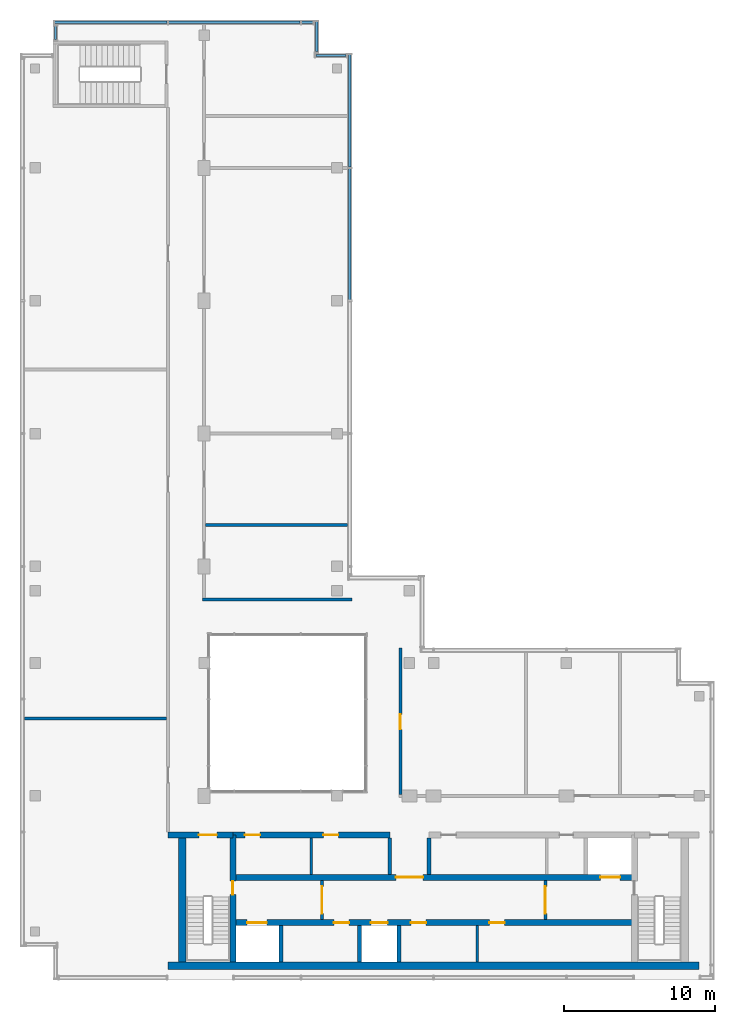
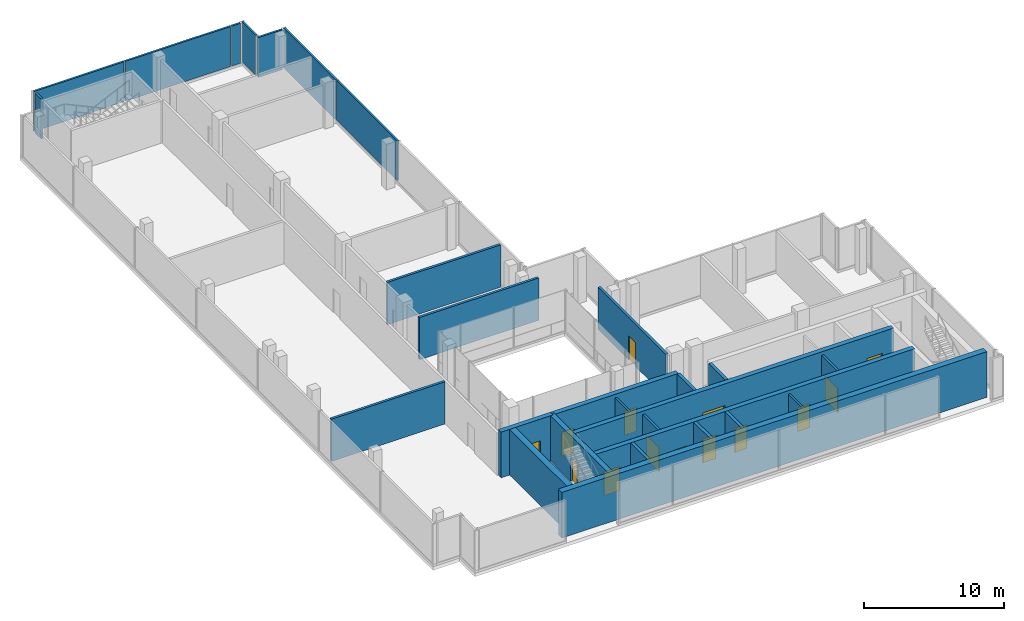
# One storey, part 8 of 11: 20 walls, 14 doors, 8 plates, 14 openings, 5 elements without a shape of their own.
"""IFC4 building model written with IfcOpenShell, lengths in metres."""

from ifc_helpers import new_model, si_unit, direction, frame, frame_2d, origin, origin_2d, place, context, subcontext, project, spatial, rectangle, extrude, source, transform, mapped, material, layer, layer_set, type_object, element, fill, aggregate, save


model = new_model("IFC4")

# Units and contexts
model_context = context("Model", 3, precision=1e-05, world=origin(), true_north=direction((0.0, 1.0)))
body_context = subcontext(model_context, "Body", "Model", "MODEL_VIEW")
ifc_project = project(units=[si_unit("LENGTHUNIT", "METRE"), si_unit("AREAUNIT", "SQUARE_METRE"), si_unit("VOLUMEUNIT", "CUBIC_METRE"), si_unit("PLANEANGLEUNIT", "RADIAN"), si_unit("MASSUNIT", "GRAM", prefix="KILO")], contexts=[model_context])

# Site, building, storey
site_placement = place(None, origin())
site = spatial("IfcSite", under=ifc_project, at=site_placement, CompositionType="ELEMENT")
building_placement = place(site_placement, origin())
building = spatial("IfcBuilding", under=site, at=building_placement, Name="Kemantara Hotel Tower", CompositionType="ELEMENT")
storey_placement = place(building_placement, frame((0.0, 0.0, 322.199951171875)))
storey = spatial("IfcBuildingStorey", under=building, at=storey_placement, Name="L81", CompositionType="ELEMENT", Elevation=322.199951171875)

# Curtain wall, plates
ifc_material_1 = material(Name="Aluminium 6063-T6 bronze anodised", Category="aluminium")
curtain_wall_type = type_object("IfcCurtainWallType", Name="CROWN LOUVRE SCREEN WALL", PredefinedType="USERDEFINED", material=ifc_material_1)
curtain_wall_1_placement = place(storey_placement, origin())
curtain_wall_1 = element("IfcCurtainWall", 1, at=curtain_wall_1_placement, inside=storey, type_object=curtain_wall_type, Name="CW7 L81 CRN-R02-1", ObjectType="CROWN LOUVRE SCREEN WALL", PredefinedType="USERDEFINED")
ifc_material_2 = material(Name="Bronze anodised aluminium louvre blades 3 mm", Category="aluminium")
ifc_layer_1 = layer(ifc_material_2, 0.159912109375)
ifc_layer_set_1 = layer_set([ifc_layer_1], Name="Bronze anodised aluminium louvre blades 3 mm")
plate_type = type_object("IfcPlateType", Name="CROWN LOUVRE SCREEN WALL PANEL", PredefinedType="CURTAIN_PANEL", material=ifc_layer_set_1)
shared_shape_1 = source(origin(), body_context, "Body", "SweptSolid", [
    extrude(rectangle(XDim=0.75, YDim=0.159912109375, at=origin_2d()), origin(), (0.0, 0.0, 1.0), 3.5),
])
plate_1_placement = place(storey_placement, frame((19.02490234375, 63.449951171875, 0.199951171875), z_axis=(0.0, 0.0, 1.0), x_axis=(-1.0, 0.0, 0.0)))
plate_1 = element("IfcPlate", 2, at=plate_1_placement, type_object=plate_type, Name="CW7 louvre panel CRN-R02-1.1", PredefinedType="CURTAIN_PANEL", context=body_context, shape_type="MappedRepresentation", body=[
    mapped(shared_shape_1, transform((0.0, 0.0, 0.0))),
])
shared_shape_2 = source(origin(), body_context, "Body", "SweptSolid", [
    extrude(rectangle(XDim=8.699951171875, YDim=0.159912109375, at=origin_2d()), origin(), (0.0, 0.0, 1.0), 3.5),
])
plate_2_placement = place(storey_placement, frame((14.199951171875, 63.449951171875, 0.199951171875), z_axis=(0.0, 0.0, 1.0), x_axis=(-1.0, 0.0, 0.0)))
plate_2 = element("IfcPlate", 3, at=plate_2_placement, type_object=plate_type, Name="CW7 louvre panel CRN-R02-1.2", PredefinedType="CURTAIN_PANEL", context=body_context, shape_type="MappedRepresentation", body=[
    mapped(shared_shape_2, transform((0.0, 0.0, 0.0))),
])

# Curtain wall, plate
curtain_wall_2_placement = place(storey_placement, origin())
curtain_wall_2 = element("IfcCurtainWall", 4, at=curtain_wall_2_placement, inside=storey, type_object=curtain_wall_type, Name="CW7 L81 CRN-R15-1", ObjectType="CROWN LOUVRE SCREEN WALL", PredefinedType="USERDEFINED")
plate_3_placement = place(storey_placement, frame((21.85009765625, 49.39990234375, 0.199951171875), z_axis=(0.0, 0.0, 1.0), x_axis=(0.0, 1.0, 0.0)))
plate_3 = element("IfcPlate", 5, at=plate_3_placement, type_object=plate_type, Name="CW7 louvre panel CRN-R15-1.4", PredefinedType="CURTAIN_PANEL", context=body_context, shape_type="MappedRepresentation", body=[
    mapped(shared_shape_2, transform((0.0, 0.0, 0.0))),
])

# Plate
shared_shape_3 = source(origin(), body_context, "Body", "SweptSolid", [
    extrude(rectangle(XDim=7.449951171875, YDim=0.159912109375, at=origin_2d()), origin(), (0.0, 0.0, 1.0), 3.5),
])
plate_4_placement = place(storey_placement, frame((6.02490234375, 63.449951171875, 0.199951171875), z_axis=(0.0, 0.0, 1.0), x_axis=(-1.0, 0.0, 0.0)))
plate_4 = element("IfcPlate", 6, at=plate_4_placement, type_object=plate_type, Name="CW7 louvre panel CRN-R02-1.3", PredefinedType="CURTAIN_PANEL", context=body_context, shape_type="MappedRepresentation", body=[
    mapped(shared_shape_3, transform((0.0, 0.0, 0.0))),
])

aggregate(curtain_wall_1, [plate_1, plate_2, plate_4])

plate_5_placement = place(storey_placement, frame((21.85009765625, 57.574951171875, 0.199951171875), z_axis=(0.0, 0.0, 1.0), x_axis=(0.0, 1.0, 0.0)))
plate_5 = element("IfcPlate", 7, at=plate_5_placement, type_object=plate_type, Name="CW7 louvre panel CRN-R15-1.5", PredefinedType="CURTAIN_PANEL", context=body_context, shape_type="MappedRepresentation", body=[
    mapped(shared_shape_3, transform((0.0, 0.0, 0.0))),
])

aggregate(curtain_wall_2, [plate_3, plate_5])

# Curtain wall, plate
curtain_wall_3_placement = place(storey_placement, origin())
curtain_wall_3 = element("IfcCurtainWall", 8, at=curtain_wall_3_placement, inside=storey, type_object=curtain_wall_type, Name="CW7 L81 CRN-R00-1", ObjectType="CROWN LOUVRE SCREEN WALL", PredefinedType="USERDEFINED")
shared_shape_4 = source(origin(), body_context, "Body", "SweptSolid", [
    extrude(rectangle(XDim=2.0, YDim=0.159912109375, at=origin_2d()), origin(), (0.0, 0.0, 1.0), 3.5),
])
plate_6_placement = place(storey_placement, frame((20.60009765625, 61.25, 0.199951171875), z_axis=(0.0, 0.0, 1.0), x_axis=(-1.0, 0.0, 0.0)))
plate_6 = element("IfcPlate", 9, at=plate_6_placement, type_object=plate_type, Name="CW7 louvre panel CRN-R00-1.1", PredefinedType="CURTAIN_PANEL", context=body_context, shape_type="MappedRepresentation", body=[
    mapped(shared_shape_4, transform((0.0, 0.0, 0.0))),
])
aggregate(curtain_wall_3, [plate_6])

curtain_wall_4_placement = place(storey_placement, origin())
curtain_wall_4 = element("IfcCurtainWall", 10, at=curtain_wall_4_placement, inside=storey, type_object=curtain_wall_type, Name="CW7 L81 CRN-R01-1", ObjectType="CROWN LOUVRE SCREEN WALL", PredefinedType="USERDEFINED")
plate_7_placement = place(storey_placement, frame((19.64990234375, 62.5, 0.199951171875), z_axis=(0.0, 0.0, 1.0), x_axis=(0.0, 1.0, 0.0)))
plate_7 = element("IfcPlate", 11, at=plate_7_placement, type_object=plate_type, Name="CW7 louvre panel CRN-R01-1.1", PredefinedType="CURTAIN_PANEL", context=body_context, shape_type="MappedRepresentation", body=[
    mapped(shared_shape_4, transform((0.0, 0.0, 0.0))),
])
aggregate(curtain_wall_4, [plate_7])

curtain_wall_5_placement = place(storey_placement, origin())
curtain_wall_5 = element("IfcCurtainWall", 12, at=curtain_wall_5_placement, inside=storey, type_object=curtain_wall_type, Name="CW7 L81 CRN-R03-1", ObjectType="CROWN LOUVRE SCREEN WALL", PredefinedType="USERDEFINED")
shared_shape_5 = source(origin(), body_context, "Body", "SweptSolid", [
    extrude(rectangle(XDim=0.89990234375, YDim=0.159912109375, at=origin_2d()), origin(), (0.0, 0.0, 1.0), 3.5),
])
plate_8_placement = place(storey_placement, frame((2.35009765625, 62.75, 0.199951171875), z_axis=(0.0, 0.0, 1.0), x_axis=(0.0, -1.0, 0.0)))
plate_8 = element("IfcPlate", 13, at=plate_8_placement, type_object=plate_type, Name="CW7 louvre panel CRN-R03-1.1", PredefinedType="CURTAIN_PANEL", context=body_context, shape_type="MappedRepresentation", body=[
    mapped(shared_shape_5, transform((0.0, 0.0, 0.0))),
])
aggregate(curtain_wall_5, [plate_8])

# Walls
ifc_material_3 = material(Name="Concrete fc 50 MPa", Category="concrete")
ifc_layer_2 = layer(ifc_material_3, 0.25)
ifc_layer_set_2 = layer_set([ifc_layer_2], Name="Concrete fc 50 MPa")
wall_type_1 = type_object("IfcWallType", Name="CORE WALL 250 FC50", PredefinedType="SHEAR", material=ifc_layer_set_2)
for number, where, z_axis, x_axis, name in (
    (14, (17.300048828125, 1.199951171875, 0.0), (0.0, 0.0, 1.0), (0.0, 1.0, 0.0), "CORE WALL CW-DS17.3"),
    (15, (22.5, 1.199951171875, 0.0), (0.0, 0.0, 1.0), (0.0, 1.0, 0.0), "CORE WALL CW-DS22.5"),
    (16, (25.10009765625, 1.199951171875, 0.0), (0.0, 0.0, 1.0), (0.0, 1.0, 0.0), "CORE WALL CW-DS25.1"),
):
    element("IfcWall", number, at=place(storey_placement, frame(where, z_axis=z_axis, x_axis=x_axis)), inside=storey, type_object=wall_type_1, Name=name, PredefinedType="SHEAR", context=body_context, shape_type="SweptSolid", body=[
        extrude(rectangle(XDim=2.400146484375, YDim=0.25, at=frame_2d((1.2001953125, 0.0))), origin(), (0.0, 0.0, 1.0), 4.0),
    ])
for number, where, z_axis, x_axis, name in (
    (17, (24.5, 7.0, 0.0), (0.0, 0.0, 1.0), (0.0, 1.0, 0.0), "CORE WALL CW-DN24.5"),
    (18, (27.10009765625, 7.0, 0.0), (0.0, 0.0, 1.0), (0.0, 1.0, 0.0), "CORE WALL CW-DN27.1"),
):
    element("IfcWall", number, at=place(storey_placement, frame(where, z_axis=z_axis, x_axis=x_axis)), inside=storey, type_object=wall_type_1, Name=name, PredefinedType="SHEAR", context=body_context, shape_type="SweptSolid", body=[
        extrude(rectangle(XDim=2.39990234375, YDim=0.25, at=frame_2d((1.199951171875, 0.0))), origin(), (0.0, 0.0, 1.0), 4.0),
    ])

# Wall, opening, door
ifc_layer_3 = layer(ifc_material_3, 0.39990234375)
ifc_layer_set_3 = layer_set([ifc_layer_3], Name="Concrete fc 50 MPa")
wall_type_2 = type_object("IfcWallType", Name="CORE WALL 400 FC50", PredefinedType="SHEAR", material=ifc_layer_set_3)
wall_1_placement = place(storey_placement, frame((9.800048828125, 9.60009765625, 0.0), z_axis=(0.0, 0.0, 1.0), x_axis=(1.0, 0.0, 0.0)))
wall_1 = element("IfcWall", 19, at=wall_1_placement, inside=storey, type_object=wall_type_2, Name="CORE WALL CW-N1", PredefinedType="SHEAR", context=body_context, shape_type="SweptSolid", body=[
    extrude(rectangle(XDim=4.300048828125, YDim=0.39990234375, at=frame_2d((2.14990234375, 0.0))), origin(), (0.0, 0.0, 1.0), 4.0),
])
opening_1_placement = place(wall_1_placement, frame((2.050048828125, 0.0, 0.0)))
opening_1 = element("IfcOpeningElement", 20, at=opening_1_placement, cuts=wall_1, Name="Opening C45-ST1-C", PredefinedType="OPENING", context=body_context, shape_type="SweptSolid", body=[
    extrude(rectangle(XDim=1.199951171875, YDim=2.10009765625, at=frame_2d((0.60009765625, 1.050048828125))), frame((0.0, 0.2099609375, 0.0), z_axis=(0.0, -1.0, 0.0), x_axis=(1.0, 0.0, 0.0)), (0.0, 0.0, 1.0), 0.419921875),
])
ifc_material_4 = material(Name="Steel fire door", Category="steel")
door_type_1 = type_object("IfcDoorType", Name="Fire door FD90 1200 x 2100", OperationType="NOTDEFINED", PredefinedType="DOOR", material=ifc_material_4)
door_1_placement = place(opening_1_placement, frame((1.199951171875, 0.0, 0.0), z_axis=(0.0, 0.0, 1.0), x_axis=(-1.0, 0.0, 0.0)))
door_1 = element("IfcDoor", 21, at=door_1_placement, inside=storey, type_object=door_type_1, Name="Stair ST1 door to corridor", OperationType="SINGLE_SWING_LEFT", OverallHeight=2.10009765625, OverallWidth=1.199951171875, PredefinedType="DOOR", context=body_context, shape_type="SweptSolid", body=[
    extrude(rectangle(XDim=1.199951171875, YDim=2.10009765625, at=frame_2d((0.60009765625, 1.050048828125))), frame((0.0, 0.02490234375, 0.0), z_axis=(0.0, -1.0, 0.0), x_axis=(1.0, 0.0, 0.0)), (0.0, 0.0, 1.0), 0.050048828125),
])
fill(opening_1, door_1)

# Wall, openings, doors
wall_2_placement = place(storey_placement, frame((14.10009765625, 9.60009765625, 0.0), z_axis=(0.0, 0.0, 1.0), x_axis=(1.0, 0.0, 0.0)))
wall_2 = element("IfcWall", 22, at=wall_2_placement, inside=storey, type_object=wall_type_2, Name="CORE WALL CW-NN1", PredefinedType="SHEAR", context=body_context, shape_type="SweptSolid", body=[
    extrude(rectangle(XDim=10.39990234375, YDim=0.39990234375, at=frame_2d((5.199951171875, 0.0))), origin(), (0.0, 0.0, 1.0), 4.0),
])
opening_2_placement = place(wall_2_placement, frame((0.800048828125, 0.0, 0.0)))
opening_2 = element("IfcOpeningElement", 23, at=opening_2_placement, cuts=wall_2, Name="Opening C45-R-NW1", PredefinedType="OPENING", context=body_context, shape_type="SweptSolid", body=[
    extrude(rectangle(XDim=1.0, YDim=2.10009765625, at=frame_2d((0.5, 1.050048828125))), frame((0.0, 0.2099609375, 0.0), z_axis=(0.0, -1.0, 0.0), x_axis=(1.0, 0.0, 0.0)), (0.0, 0.0, 1.0), 0.419921875),
])
opening_3_placement = place(wall_2_placement, frame((6.0, 0.0, 0.0)))
opening_3 = element("IfcOpeningElement", 24, at=opening_3_placement, cuts=wall_2, Name="Opening C45-R-NW2", PredefinedType="OPENING", context=body_context, shape_type="SweptSolid", body=[
    extrude(rectangle(XDim=1.0, YDim=2.10009765625, at=frame_2d((0.5, 1.050048828125))), frame((0.0, 0.2099609375, 0.0), z_axis=(0.0, -1.0, 0.0), x_axis=(1.0, 0.0, 0.0)), (0.0, 0.0, 1.0), 0.419921875),
])
door_type_2 = type_object("IfcDoorType", Name="Fire door FD60 1000 x 2100", OperationType="NOTDEFINED", PredefinedType="DOOR", material=ifc_material_4)
door_2_placement = place(opening_2_placement, frame((1.0, 0.0, 0.0), z_axis=(0.0, 0.0, 1.0), x_axis=(-1.0, 0.0, 0.0)))
door_2 = element("IfcDoor", 25, at=door_2_placement, inside=storey, type_object=door_type_2, Name="Air Handling Plant Room door", OperationType="SINGLE_SWING_RIGHT", OverallHeight=2.10009765625, OverallWidth=1.0, PredefinedType="DOOR", context=body_context, shape_type="SweptSolid", body=[
    extrude(rectangle(XDim=1.0, YDim=2.10009765625, at=frame_2d((0.5, 1.050048828125))), frame((0.0, 0.02490234375, 0.0), z_axis=(0.0, -1.0, 0.0), x_axis=(1.0, 0.0, 0.0)), (0.0, 0.0, 1.0), 0.050048828125),
])
fill(opening_2, door_2)
door_3_placement = place(opening_3_placement, frame((1.0, 0.0, 0.0), z_axis=(0.0, 0.0, 1.0), x_axis=(-1.0, 0.0, 0.0)))
door_3 = element("IfcDoor", 26, at=door_3_placement, inside=storey, type_object=door_type_2, Name="Chilled Water Plant Room door", OperationType="SINGLE_SWING_LEFT", OverallHeight=2.10009765625, OverallWidth=1.0, PredefinedType="DOOR", context=body_context, shape_type="SweptSolid", body=[
    extrude(rectangle(XDim=1.0, YDim=2.10009765625, at=frame_2d((0.5, 1.050048828125))), frame((0.0, 0.02490234375, 0.0), z_axis=(0.0, -1.0, 0.0), x_axis=(1.0, 0.0, 0.0)), (0.0, 0.0, 1.0), 0.050048828125),
])
fill(opening_3, door_3)

wall_3_placement = place(storey_placement, frame((14.10009765625, 3.800048828125, 0.0), z_axis=(0.0, 0.0, 1.0), x_axis=(1.0, 0.0, 0.0)))
wall_3 = element("IfcWall", 27, at=wall_3_placement, inside=storey, type_object=wall_type_2, Name="CORE WALL CW-L1", PredefinedType="SHEAR", context=body_context, shape_type="SweptSolid", body=[
    extrude(rectangle(XDim=26.599853515625, YDim=0.39990234375, at=frame_2d((13.2998046875, 0.0))), origin(), (0.0, 0.0, 1.0), 4.0),
])
opening_4_placement = place(wall_3_placement, frame((0.949951171875, 0.0, 0.0)))
opening_4 = element("IfcOpeningElement", 28, at=opening_4_placement, cuts=wall_3, Name="Opening C45-LD-FF1", PredefinedType="OPENING", context=body_context, shape_type="SweptSolid", body=[
    extrude(rectangle(XDim=1.300048828125, YDim=2.10009765625, at=frame_2d((0.64990234375, 1.050048828125))), frame((0.0, 0.2099609375, 0.0), z_axis=(0.0, -1.0, 0.0), x_axis=(1.0, 0.0, 0.0)), (0.0, 0.0, 1.0), 0.419921875),
])
opening_5_placement = place(wall_3_placement, frame((9.14990234375, 0.0, 0.0)))
opening_5 = element("IfcOpeningElement", 29, at=opening_5_placement, cuts=wall_3, Name="Opening C45-LD-SV3", PredefinedType="OPENING", context=body_context, shape_type="SweptSolid", body=[
    extrude(rectangle(XDim=1.10009765625, YDim=2.10009765625, at=frame_2d((0.550048828125, 1.050048828125))), frame((0.0, 0.2099609375, 0.0), z_axis=(0.0, -1.0, 0.0), x_axis=(1.0, 0.0, 0.0)), (0.0, 0.0, 1.0), 0.419921875),
])
opening_6_placement = place(wall_3_placement, frame((11.800048828125, 0.0, 0.0)))
opening_6 = element("IfcOpeningElement", 30, at=opening_6_placement, cuts=wall_3, Name="Opening C45-R-SM1", PredefinedType="OPENING", context=body_context, shape_type="SweptSolid", body=[
    extrude(rectangle(XDim=1.0, YDim=2.10009765625, at=frame_2d((0.5, 1.050048828125))), frame((0.0, 0.2099609375, 0.0), z_axis=(0.0, -1.0, 0.0), x_axis=(1.0, 0.0, 0.0)), (0.0, 0.0, 1.0), 0.419921875),
])
opening_7_placement = place(wall_3_placement, frame((17.0, 0.0, 0.0)))
opening_7 = element("IfcOpeningElement", 31, at=opening_7_placement, cuts=wall_3, Name="Opening C45-R-SM2", PredefinedType="OPENING", context=body_context, shape_type="SweptSolid", body=[
    extrude(rectangle(XDim=1.0, YDim=2.10009765625, at=frame_2d((0.5, 1.050048828125))), frame((0.0, 0.2099609375, 0.0), z_axis=(0.0, -1.0, 0.0), x_axis=(1.0, 0.0, 0.0)), (0.0, 0.0, 1.0), 0.419921875),
])
opening_8_placement = place(wall_3_placement, frame((6.699951171875, 0.0, 0.0)))
opening_8 = element("IfcOpeningElement", 32, at=opening_8_placement, cuts=wall_3, Name="Opening C45-R-SW1", PredefinedType="OPENING", context=body_context, shape_type="SweptSolid", body=[
    extrude(rectangle(XDim=1.0, YDim=2.10009765625, at=frame_2d((0.5, 1.050048828125))), frame((0.0, 0.2099609375, 0.0), z_axis=(0.0, -1.0, 0.0), x_axis=(1.0, 0.0, 0.0)), (0.0, 0.0, 1.0), 0.419921875),
])
door_4_placement = place(opening_6_placement, frame((1.0, 0.0, 0.0), z_axis=(0.0, 0.0, 1.0), x_axis=(-1.0, 0.0, 0.0)))
door_4 = element("IfcDoor", 33, at=door_4_placement, inside=storey, type_object=door_type_2, Name="Pump Room door", OperationType="SINGLE_SWING_RIGHT", OverallHeight=2.10009765625, OverallWidth=1.0, PredefinedType="DOOR", context=body_context, shape_type="SweptSolid", body=[
    extrude(rectangle(XDim=1.0, YDim=2.10009765625, at=frame_2d((0.5, 1.050048828125))), frame((0.0, 0.02490234375, 0.0), z_axis=(0.0, -1.0, 0.0), x_axis=(1.0, 0.0, 0.0)), (0.0, 0.0, 1.0), 0.050048828125),
])
fill(opening_6, door_4)
door_5_placement = place(opening_7_placement, frame((1.0, 0.0, 0.0), z_axis=(0.0, 0.0, 1.0), x_axis=(-1.0, 0.0, 0.0)))
door_5 = element("IfcDoor", 34, at=door_5_placement, inside=storey, type_object=door_type_2, Name="Switch Room door", OperationType="SINGLE_SWING_LEFT", OverallHeight=2.10009765625, OverallWidth=1.0, PredefinedType="DOOR", context=body_context, shape_type="SweptSolid", body=[
    extrude(rectangle(XDim=1.0, YDim=2.10009765625, at=frame_2d((0.5, 1.050048828125))), frame((0.0, 0.02490234375, 0.0), z_axis=(0.0, -1.0, 0.0), x_axis=(1.0, 0.0, 0.0)), (0.0, 0.0, 1.0), 0.050048828125),
])
fill(opening_7, door_5)
door_6_placement = place(opening_8_placement, frame((1.0, 0.0, 0.0), z_axis=(0.0, 0.0, 1.0), x_axis=(-1.0, 0.0, 0.0)))
door_6 = element("IfcDoor", 35, at=door_6_placement, inside=storey, type_object=door_type_2, Name="Tank Room door", OperationType="SINGLE_SWING_RIGHT", OverallHeight=2.10009765625, OverallWidth=1.0, PredefinedType="DOOR", context=body_context, shape_type="SweptSolid", body=[
    extrude(rectangle(XDim=1.0, YDim=2.10009765625, at=frame_2d((0.5, 1.050048828125))), frame((0.0, 0.02490234375, 0.0), z_axis=(0.0, -1.0, 0.0), x_axis=(1.0, 0.0, 0.0)), (0.0, 0.0, 1.0), 0.050048828125),
])
fill(opening_8, door_6)
ifc_material_5 = material(Name="Stainless steel lift door", Category="steel")
door_type_3 = type_object("IfcDoorType", Name="Lift landing door 1100 x 2100 FD60", OperationType="DOUBLE_DOOR_SLIDING", PredefinedType="DOOR", material=ifc_material_5)
door_7_placement = place(opening_5_placement, origin())
door_7 = element("IfcDoor", 36, at=door_7_placement, inside=storey, type_object=door_type_3, Name="Lift SV3 landing door", OperationType="DOUBLE_DOOR_SLIDING", OverallHeight=2.10009765625, OverallWidth=1.10009765625, PredefinedType="DOOR", context=body_context, shape_type="SweptSolid", body=[
    extrude(rectangle(XDim=1.10009765625, YDim=2.10009765625, at=frame_2d((0.550048828125, 1.050048828125))), frame((0.0, 0.02490234375, 0.0), z_axis=(0.0, -1.0, 0.0), x_axis=(1.0, 0.0, 0.0)), (0.0, 0.0, 1.0), 0.050048828125),
])
fill(opening_5, door_7)
door_type_4 = type_object("IfcDoorType", Name="Lift landing door 1300 x 2100 FD90", OperationType="DOUBLE_DOOR_SLIDING", PredefinedType="DOOR", material=ifc_material_5)
door_8_placement = place(opening_4_placement, origin())
door_8 = element("IfcDoor", 37, at=door_8_placement, inside=storey, type_object=door_type_4, Name="Lift FF1 landing door", OperationType="DOUBLE_DOOR_SLIDING", OverallHeight=2.10009765625, OverallWidth=1.300048828125, PredefinedType="DOOR", context=body_context, shape_type="SweptSolid", body=[
    extrude(rectangle(XDim=1.300048828125, YDim=2.10009765625, at=frame_2d((0.64990234375, 1.050048828125))), frame((0.0, 0.02490234375, 0.0), z_axis=(0.0, -1.0, 0.0), x_axis=(1.0, 0.0, 0.0)), (0.0, 0.0, 1.0), 0.050048828125),
])
fill(opening_4, door_8)

wall_4_placement = place(storey_placement, frame((14.10009765625, 6.800048828125, 0.0), z_axis=(0.0, 0.0, 1.0), x_axis=(1.0, 0.0, 0.0)))
wall_4 = element("IfcWall", 38, at=wall_4_placement, inside=storey, type_object=wall_type_2, Name="CORE WALL CW-L2", PredefinedType="SHEAR", context=body_context, shape_type="SweptSolid", body=[
    extrude(rectangle(XDim=26.599853515625, YDim=0.39990234375, at=frame_2d((13.2998046875, 0.0))), origin(), (0.0, 0.0, 1.0), 4.0),
])
opening_9_placement = place(wall_4_placement, frame((10.800048828125, 0.0, 0.0)))
opening_9 = element("IfcOpeningElement", 39, at=opening_9_placement, cuts=wall_4, Name="Opening C45-VL", PredefinedType="OPENING", context=body_context, shape_type="SweptSolid", body=[
    extrude(rectangle(XDim=1.800048828125, YDim=2.10009765625, at=frame_2d((0.89990234375, 1.050048828125))), frame((0.0, 0.2099609375, 0.0), z_axis=(0.0, -1.0, 0.0), x_axis=(1.0, 0.0, 0.0)), (0.0, 0.0, 1.0), 0.419921875),
])
opening_10_placement = place(wall_4_placement, frame((24.35009765625, 0.0, 0.0)))
opening_10 = element("IfcOpeningElement", 40, at=opening_10_placement, cuts=wall_4, Name="Opening C45-LD-FF2", PredefinedType="OPENING", context=body_context, shape_type="SweptSolid", body=[
    extrude(rectangle(XDim=1.300048828125, YDim=2.10009765625, at=frame_2d((0.64990234375, 1.050048828125))), frame((0.0, 0.2099609375, 0.0), z_axis=(0.0, -1.0, 0.0), x_axis=(1.0, 0.0, 0.0)), (0.0, 0.0, 1.0), 0.419921875),
])
door_type_5 = type_object("IfcDoorType", Name="Fire door pair FD60 1800 x 2100", OperationType="DOUBLE_DOOR_SINGLE_SWING", PredefinedType="DOOR", material=ifc_material_4)
door_9_placement = place(opening_9_placement, frame((1.800048828125, 0.0, 0.0), z_axis=(0.0, 0.0, 1.0), x_axis=(-1.0, 0.0, 0.0)))
door_9 = element("IfcDoor", 41, at=door_9_placement, inside=storey, type_object=door_type_5, Name="Lift lobby entry door", OperationType="DOUBLE_DOOR_SINGLE_SWING", OverallHeight=2.10009765625, OverallWidth=1.800048828125, PredefinedType="DOOR", context=body_context, shape_type="SweptSolid", body=[
    extrude(rectangle(XDim=1.800048828125, YDim=2.10009765625, at=frame_2d((0.89990234375, 1.050048828125))), frame((0.0, 0.02490234375, 0.0), z_axis=(0.0, -1.0, 0.0), x_axis=(1.0, 0.0, 0.0)), (0.0, 0.0, 1.0), 0.050048828125),
])
fill(opening_9, door_9)
door_10_placement = place(opening_10_placement, origin())
door_10 = element("IfcDoor", 42, at=door_10_placement, inside=storey, type_object=door_type_4, Name="Lift FF2 landing door", OperationType="DOUBLE_DOOR_SLIDING", OverallHeight=2.10009765625, OverallWidth=1.300048828125, PredefinedType="DOOR", context=body_context, shape_type="SweptSolid", body=[
    extrude(rectangle(XDim=1.300048828125, YDim=2.10009765625, at=frame_2d((0.64990234375, 1.050048828125))), frame((0.0, 0.02490234375, 0.0), z_axis=(0.0, -1.0, 0.0), x_axis=(1.0, 0.0, 0.0)), (0.0, 0.0, 1.0), 0.050048828125),
])
fill(opening_10, door_10)

# Wall, opening, door
wall_5_placement = place(storey_placement, frame((14.10009765625, 1.199951171875, 0.0), z_axis=(0.0, 0.0, 1.0), x_axis=(0.0, 1.0, 0.0)))
wall_5 = element("IfcWall", 43, at=wall_5_placement, inside=storey, type_object=wall_type_2, Name="CORE WALL CW-ST1E", PredefinedType="SHEAR", context=body_context, shape_type="SweptSolid", body=[
    extrude(rectangle(XDim=8.400146484375, YDim=0.39990234375, at=frame_2d((4.2001953125, 0.0))), origin(), (0.0, 0.0, 1.0), 4.0),
])
opening_11_placement = place(wall_5_placement, frame((4.449951171875, 0.0, 0.0)))
opening_11 = element("IfcOpeningElement", 44, at=opening_11_placement, cuts=wall_5, Name="Opening C45-ST1-F", PredefinedType="OPENING", context=body_context, shape_type="SweptSolid", body=[
    extrude(rectangle(XDim=0.89990234375, YDim=2.10009765625, at=frame_2d((0.449951171875, 1.050048828125))), frame((0.0, 0.2099609375, 0.0), z_axis=(0.0, -1.0, 0.0), x_axis=(1.0, 0.0, 0.0)), (0.0, 0.0, 1.0), 0.419921875),
])
door_type_6 = type_object("IfcDoorType", Name="Fire door FD90 900 x 2100", OperationType="NOTDEFINED", PredefinedType="DOOR", material=ifc_material_4)
door_11_placement = place(opening_11_placement, origin())
door_11 = element("IfcDoor", 45, at=door_11_placement, inside=storey, type_object=door_type_6, Name="Stair ST1 door to firefighting lobby", OperationType="SINGLE_SWING_RIGHT", OverallHeight=2.10009765625, OverallWidth=0.89990234375, PredefinedType="DOOR", context=body_context, shape_type="SweptSolid", body=[
    extrude(rectangle(XDim=0.89990234375, YDim=2.10009765625, at=frame_2d((0.449951171875, 1.050048828125))), frame((0.0, 0.02490234375, 0.0), z_axis=(0.0, -1.0, 0.0), x_axis=(1.0, 0.0, 0.0)), (0.0, 0.0, 1.0), 0.050048828125),
])
fill(opening_11, door_11)

# Walls
ifc_layer_4 = layer(ifc_material_3, 0.5)
ifc_layer_set_4 = layer_set([ifc_layer_4], Name="Concrete fc 50 MPa")
wall_type_3 = type_object("IfcWallType", Name="CORE WALL 500 FC50", PredefinedType="SHEAR", material=ifc_layer_set_4)
wall_6_placement = place(storey_placement, frame((9.800048828125, 0.949951171875, 0.0), z_axis=(0.0, 0.0, 1.0), x_axis=(1.0, 0.0, 0.0)))
element("IfcWall", 46, at=wall_6_placement, inside=storey, type_object=wall_type_3, Name="CORE WALL CW-S", PredefinedType="SHEAR", context=body_context, shape_type="SweptSolid", body=[
    extrude(rectangle(XDim=35.199951171875, YDim=0.5, at=frame_2d((17.60009765625, 0.0))), origin(), (0.0, 0.0, 1.0), 4.0),
])
wall_7_placement = place(storey_placement, frame((10.75, 1.199951171875, 0.0), z_axis=(0.0, 0.0, 1.0), x_axis=(0.0, 1.0, 0.0)))
element("IfcWall", 47, at=wall_7_placement, inside=storey, type_object=wall_type_3, Name="CORE WALL CW-W", PredefinedType="SHEAR", context=body_context, shape_type="SweptSolid", body=[
    extrude(rectangle(XDim=8.60009765625, YDim=0.5, at=frame_2d((4.300048828125, 0.0))), origin(), (0.0, 0.0, 1.0), 4.0),
])
ifc_material_6 = material(Name="Clay brick masonry", Category="masonry")
ifc_layer_5 = layer(ifc_material_6, 0.199951171875)
ifc_layer_set_5 = layer_set([ifc_layer_5], Name="Clay brick masonry")
wall_type_4 = type_object("IfcWallType", Name="FIRE-RATED CLAY BRICK WALL 200 EI 120", PredefinedType="PARTITIONING", material=ifc_layer_set_5)
for number, where, z_axis, x_axis, name in (
    (48, (12.300048828125, 30.14990234375, 0.0), (0.0, 0.0, 1.0), (1.0, 0.0, 0.0), "FIRE WALL"),
    (49, (0.300048828125, 17.340087890625, 0.0), (0.0, 0.0, 1.0), (1.0, 0.0, 0.0), "FIRE WALL"),
):
    element("IfcWall", number, at=place(storey_placement, frame(where, z_axis=z_axis, x_axis=x_axis)), inside=storey, type_object=wall_type_4, Name=name, PredefinedType="PARTITIONING", context=body_context, shape_type="SweptSolid", body=[
        extrude(rectangle(XDim=9.39990234375, YDim=0.199951171875, at=frame_2d((4.699951171875, 0.0))), origin(), (0.0, 0.0, 1.0), 3.699951171875),
    ])
ifc_material_7 = material(Name="Fire-rated gypsum board partition")
ifc_layer_6 = layer(ifc_material_7, 0.199951171875)
ifc_layer_set_6 = layer_set([ifc_layer_6], Name="Fire-rated gypsum board partition")
wall_type_5 = type_object("IfcWallType", Name="FIRE-RATED GYPSUM PARTITION 200 EI 60", PredefinedType="PARTITIONING", material=ifc_layer_set_6)
wall_8_placement = place(storey_placement, frame((12.10009765625, 25.199951171875, 0.0), z_axis=(0.0, 0.0, 1.0), x_axis=(1.0, 0.0, 0.0)))
element("IfcWall", 50, at=wall_8_placement, inside=storey, type_object=wall_type_5, Name="FIRE-RATED PARTITION", PredefinedType="PARTITIONING", context=body_context, shape_type="SweptSolid", body=[
    extrude(rectangle(XDim=9.89990234375, YDim=0.199951171875, at=frame_2d((4.949951171875, 0.0))), origin(), (0.0, 0.0, 1.0), 3.699951171875),
])

# Wall, opening, door
wall_9_placement = place(storey_placement, frame((25.199951171875, 12.300048828125, 0.0), z_axis=(0.0, 0.0, 1.0), x_axis=(0.0, 1.0, 0.0)))
wall_9 = element("IfcWall", 51, at=wall_9_placement, inside=storey, type_object=wall_type_5, Name="FIRE-RATED PARTITION", PredefinedType="PARTITIONING", context=body_context, shape_type="SweptSolid", body=[
    extrude(rectangle(XDim=9.699951171875, YDim=0.199951171875, at=frame_2d((4.85009765625, 0.0))), origin(), (0.0, 0.0, 1.0), 3.699951171875),
])
opening_12_placement = place(wall_9_placement, frame((4.300048828125, 0.0, 0.0)))
opening_12 = element("IfcOpeningElement", 52, at=opening_12_placement, cuts=wall_9, Name="Opening L81-B001", PredefinedType="OPENING", context=body_context, shape_type="SweptSolid", body=[
    extrude(rectangle(XDim=1.0, YDim=2.10009765625, at=frame_2d((0.5, 1.050048828125))), frame((0.0, 0.10986328125, 0.0), z_axis=(0.0, -1.0, 0.0), x_axis=(1.0, 0.0, 0.0)), (0.0, 0.0, 1.0), 0.219970703125),
])
ifc_material_8 = material(Name="Galvanised steel door leaf", Category="steel")
door_type_7 = type_object("IfcDoorType", Name="FIRE-RATED STEEL DOOR 1000 X 2100", OperationType="SINGLE_SWING_LEFT", PredefinedType="DOOR", material=ifc_material_8)
door_12_placement = place(opening_12_placement, frame((1.0, 0.0, 0.0), z_axis=(0.0, 0.0, 1.0), x_axis=(-1.0, 0.0, 0.0)))
door_12 = element("IfcDoor", 53, at=door_12_placement, inside=storey, type_object=door_type_7, Name="FIRE-RATED STEEL DOOR", OperationType="SINGLE_SWING_RIGHT", OverallHeight=2.10009765625, OverallWidth=1.0, PredefinedType="DOOR", context=body_context, shape_type="SweptSolid", body=[
    extrude(rectangle(XDim=1.0, YDim=2.10009765625, at=frame_2d((0.5, 1.050048828125))), frame((0.0, 0.02490234375, 0.0), z_axis=(0.0, -1.0, 0.0), x_axis=(1.0, 0.0, 0.0)), (0.0, 0.0, 1.0), 0.050048828125),
])
fill(opening_12, door_12)

# Walls
ifc_material_9 = material(Name="Gypsum board partition")
ifc_layer_7 = layer(ifc_material_9, 0.14990234375)
ifc_layer_set_7 = layer_set([ifc_layer_7], Name="Gypsum board partition")
wall_type_6 = type_object("IfcWallType", Name="Gypsum board partition 150 mm", PredefinedType="PARTITIONING", material=ifc_layer_set_7)
wall_10_placement = place(storey_placement, frame((19.300048828125, 7.0, 0.0), z_axis=(0.0, 0.0, 1.0), x_axis=(0.0, 1.0, 0.0)))
element("IfcWall", 54, at=wall_10_placement, inside=storey, type_object=wall_type_6, Name="Core room partition", PredefinedType="PARTITIONING", context=body_context, shape_type="SweptSolid", body=[
    extrude(rectangle(XDim=2.39990234375, YDim=0.14990234375, at=frame_2d((1.199951171875, 0.0))), origin(), (0.0, 0.0, 1.0), 3.699951171875),
])
wall_11_placement = place(storey_placement, frame((30.300048828125, 1.199951171875, 0.0), z_axis=(0.0, 0.0, 1.0), x_axis=(0.0, 1.0, 0.0)))
element("IfcWall", 55, at=wall_11_placement, inside=storey, type_object=wall_type_6, Name="Core room partition", PredefinedType="PARTITIONING", context=body_context, shape_type="SweptSolid", body=[
    extrude(rectangle(XDim=2.400146484375, YDim=0.14990234375, at=frame_2d((1.2001953125, 0.0))), origin(), (0.0, 0.0, 1.0), 3.699951171875),
])

# Wall, opening, door
ifc_material_10 = material(Name="Gypsum board shaft wall")
ifc_layer_8 = layer(ifc_material_10, 0.199951171875)
ifc_layer_set_8 = layer_set([ifc_layer_8], Name="Gypsum board shaft wall")
wall_type_7 = type_object("IfcWallType", Name="Gypsum board shaft wall 200 mm", PredefinedType="PARTITIONING", material=ifc_layer_set_8)
wall_12_placement = place(storey_placement, frame((20.0, 4.0, 0.0), z_axis=(0.0, 0.0, 1.0), x_axis=(0.0, 1.0, 0.0)))
wall_12 = element("IfcWall", 56, at=wall_12_placement, inside=storey, type_object=wall_type_7, Name="Firefighting lobby partition west", PredefinedType="PARTITIONING", context=body_context, shape_type="SweptSolid", body=[
    extrude(rectangle(XDim=2.60009765625, YDim=0.199951171875, at=frame_2d((1.300048828125, 0.0))), origin(), (0.0, 0.0, 1.0), 3.699951171875),
])
opening_13_placement = place(wall_12_placement, frame((0.39990234375, 0.0, 0.0)))
opening_13 = element("IfcOpeningElement", 57, at=opening_13_placement, cuts=wall_12, Name="Opening C45-FFW", PredefinedType="OPENING", context=body_context, shape_type="SweptSolid", body=[
    extrude(rectangle(XDim=1.800048828125, YDim=2.10009765625, at=frame_2d((0.89990234375, 1.050048828125))), frame((0.0, 0.10986328125, 0.0), z_axis=(0.0, -1.0, 0.0), x_axis=(1.0, 0.0, 0.0)), (0.0, 0.0, 1.0), 0.219970703125),
])
door_13_placement = place(opening_13_placement, origin())
door_13 = element("IfcDoor", 58, at=door_13_placement, inside=storey, type_object=door_type_5, Name="Firefighting lobby door west", OperationType="DOUBLE_DOOR_SINGLE_SWING", OverallHeight=2.10009765625, OverallWidth=1.800048828125, PredefinedType="DOOR", context=body_context, shape_type="SweptSolid", body=[
    extrude(rectangle(XDim=1.800048828125, YDim=2.10009765625, at=frame_2d((0.89990234375, 1.050048828125))), frame((0.0, 0.02490234375, 0.0), z_axis=(0.0, -1.0, 0.0), x_axis=(1.0, 0.0, 0.0)), (0.0, 0.0, 1.0), 0.050048828125),
])
fill(opening_13, door_13)

wall_13_placement = place(storey_placement, frame((34.800048828125, 4.0, 0.0), z_axis=(0.0, 0.0, 1.0), x_axis=(0.0, 1.0, 0.0)))
wall_13 = element("IfcWall", 59, at=wall_13_placement, inside=storey, type_object=wall_type_7, Name="Firefighting lobby partition east", PredefinedType="PARTITIONING", context=body_context, shape_type="SweptSolid", body=[
    extrude(rectangle(XDim=2.60009765625, YDim=0.199951171875, at=frame_2d((1.300048828125, 0.0))), origin(), (0.0, 0.0, 1.0), 3.699951171875),
])
opening_14_placement = place(wall_13_placement, frame((0.39990234375, 0.0, 0.0)))
opening_14 = element("IfcOpeningElement", 60, at=opening_14_placement, cuts=wall_13, Name="Opening C45-FFE", PredefinedType="OPENING", context=body_context, shape_type="SweptSolid", body=[
    extrude(rectangle(XDim=1.800048828125, YDim=2.10009765625, at=frame_2d((0.89990234375, 1.050048828125))), frame((0.0, 0.10986328125, 0.0), z_axis=(0.0, -1.0, 0.0), x_axis=(1.0, 0.0, 0.0)), (0.0, 0.0, 1.0), 0.219970703125),
])
door_14_placement = place(opening_14_placement, frame((1.800048828125, 0.0, 0.0), z_axis=(0.0, 0.0, 1.0), x_axis=(-1.0, 0.0, 0.0)))
door_14 = element("IfcDoor", 61, at=door_14_placement, inside=storey, type_object=door_type_5, Name="Firefighting lobby door east", OperationType="DOUBLE_DOOR_SINGLE_SWING", OverallHeight=2.10009765625, OverallWidth=1.800048828125, PredefinedType="DOOR", context=body_context, shape_type="SweptSolid", body=[
    extrude(rectangle(XDim=1.800048828125, YDim=2.10009765625, at=frame_2d((0.89990234375, 1.050048828125))), frame((0.0, 0.02490234375, 0.0), z_axis=(0.0, -1.0, 0.0), x_axis=(1.0, 0.0, 0.0)), (0.0, 0.0, 1.0), 0.050048828125),
])
fill(opening_14, door_14)

save(model, "model.ifc")
